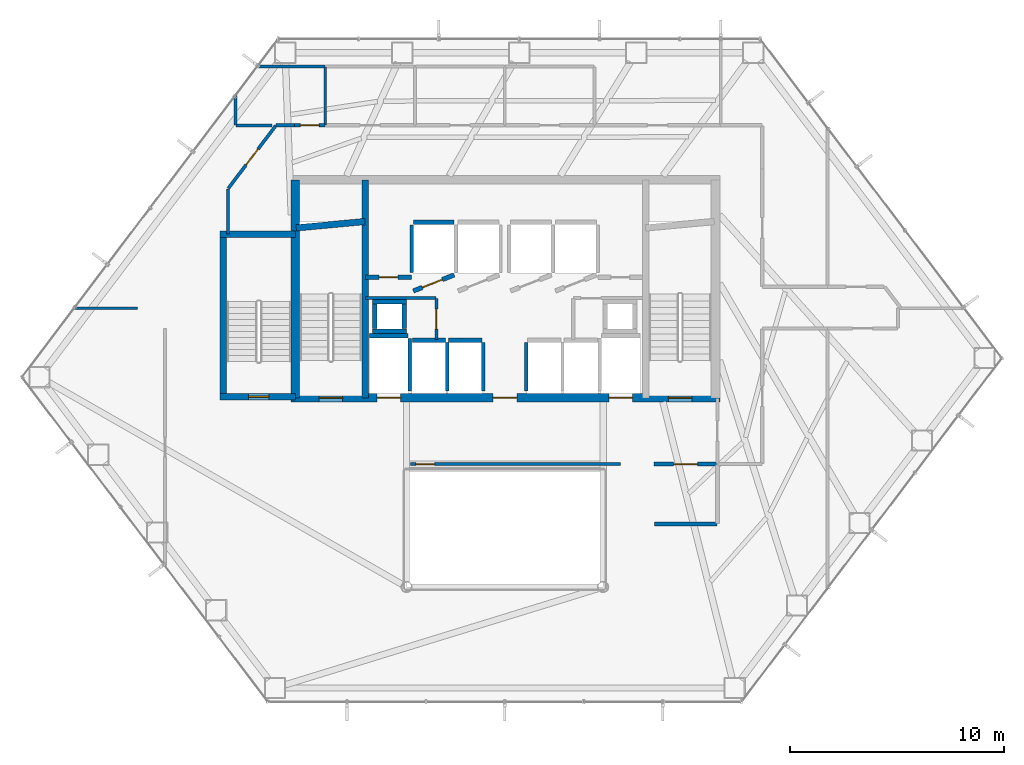
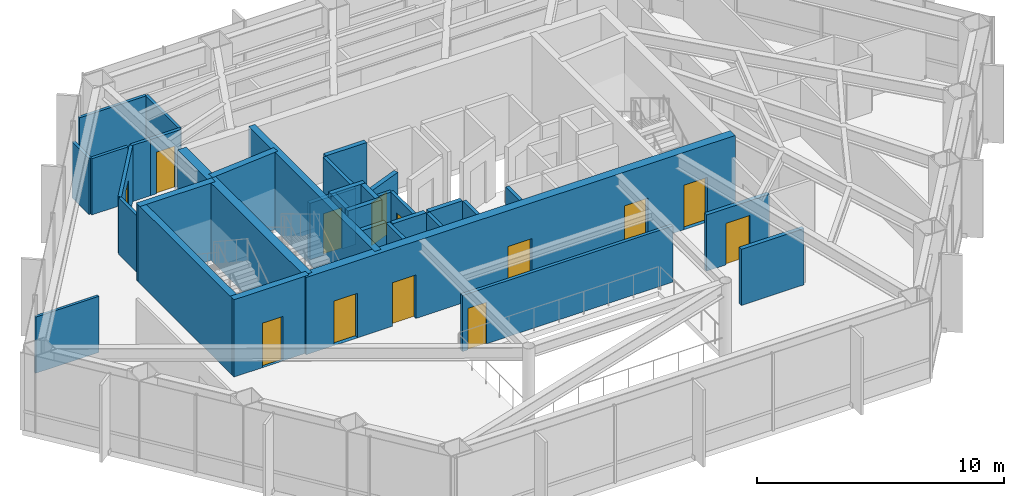
# One storey, part 22 of 25: 36 walls, 13 doors, 13 openings.
"""IFC4 building model written with IfcOpenShell, lengths in metres."""

from ifc_helpers import new_model, si_unit, direction, frame, frame_2d, origin, place, context, subcontext, project, spatial, rectangle, extrude, material, layer, layer_set, type_object, element, fill, save


model = new_model("IFC4")

# Units and contexts
model_context = context("Model", 3, precision=1e-05, world=origin(), true_north=direction((0.0, 1.0)))
body_context = subcontext(model_context, "Body", "Model", "MODEL_VIEW")
ifc_project = project(units=[si_unit("LENGTHUNIT", "METRE"), si_unit("AREAUNIT", "SQUARE_METRE"), si_unit("VOLUMEUNIT", "CUBIC_METRE"), si_unit("PLANEANGLEUNIT", "RADIAN"), si_unit("MASSUNIT", "GRAM", prefix="KILO")], contexts=[model_context])

# Site, building, storey
site_placement = place(None, origin())
site = spatial("IfcSite", under=ifc_project, at=site_placement, CompositionType="ELEMENT")
building_placement = place(site_placement, origin())
building = spatial("IfcBuilding", under=site, at=building_placement, Name="Zarrinselat Tower", CompositionType="ELEMENT")
storey_placement = place(building_placement, frame((0.0, 0.0, 43.860107421875)))
storey = spatial("IfcBuildingStorey", under=building, at=storey_placement, Name="L10", CompositionType="ELEMENT", Elevation=43.860107421875)

# Wall, opening, door
ifc_material_1 = material(Name="Concrete C40/50", Category="concrete")
ifc_layer_1 = layer(ifc_material_1, 0.18994140625)
ifc_layer_set_1 = layer_set([ifc_layer_1], Name="Concrete C40/50")
wall_type_1 = type_object("IfcWallType", Name="WAL-PART-EI120", PredefinedType="PARTITIONING", material=ifc_layer_set_1)
wall_1_placement = place(storey_placement, frame((45.385009765625, 30.14990234375, 0.0), z_axis=(0.0, 0.0, 1.0), x_axis=(1.0, 0.0, 0.0)))
wall_1 = element("IfcWall", 1, at=wall_1_placement, inside=storey, type_object=wall_type_1, Name="L10 Partition Wall 7", PredefinedType="PARTITIONING", context=body_context, shape_type="SweptSolid", body=[
    extrude(rectangle(XDim=2.945068359375, YDim=0.18994140625, at=frame_2d((1.47265625, 0.0))), origin(), (0.0, 0.0, 1.0), 2.77685546875),
])
opening_1_placement = place(wall_1_placement, frame((0.91259765625, 0.0, 0.0)))
opening_1 = element("IfcOpeningElement", 2, at=opening_1_placement, cuts=wall_1, Name="Opening ID-02", PredefinedType="OPENING", context=body_context, shape_type="SweptSolid", body=[
    extrude(rectangle(XDim=1.1201171875, YDim=2.050048828125, at=frame_2d((0.56005859375, 1.02490234375))), frame((0.0, 0.10498046875, 0.0), z_axis=(0.0, -1.0, 0.0), x_axis=(1.0, 0.0, 0.0)), (0.0, 0.0, 1.0), 0.2099609375),
])
ifc_material_2 = material(Name="Steel S355J2", Category="steel")
door_type_1 = type_object("IfcDoorType", Name="DR-INT-FD60-W", OperationType="NOTDEFINED", PredefinedType="DOOR", material=ifc_material_2)
door_1_placement = place(opening_1_placement, origin())
door_1 = element("IfcDoor", 3, at=door_1_placement, inside=storey, type_object=door_type_1, Name="L10 Interior Door P7", OperationType="SINGLE_SWING_LEFT", OverallHeight=2.050048828125, OverallWidth=1.1201171875, PredefinedType="DOOR", context=body_context, shape_type="SweptSolid", body=[
    extrude(rectangle(XDim=1.1201171875, YDim=2.050048828125, at=frame_2d((0.56005859375, 1.02490234375))), frame((0.0, 0.02490234375, 0.0), z_axis=(0.0, -1.0, 0.0), x_axis=(1.0, 0.0, 0.0)), (0.0, 0.0, 1.0), 0.050048828125),
])
fill(opening_1, door_1)

# Wall
wall_2_placement = place(storey_placement, frame((45.39990234375, 27.35009765625, 0.0), z_axis=(0.0, 0.0, 1.0), x_axis=(1.0, 0.0, 0.0)))
element("IfcWall", 4, at=wall_2_placement, inside=storey, type_object=wall_type_1, Name="L10 Partition Wall 10", PredefinedType="PARTITIONING", context=body_context, shape_type="SweptSolid", body=[
    extrude(rectangle(XDim=2.93017578125, YDim=0.18994140625, at=frame_2d((1.465087890625, 0.0))), origin(), (0.0, 0.0, 1.0), 2.77685546875),
])

# Wall, opening, door
ifc_material_3 = material(Name="Fire-Rated Gypsum Board Partition", Category="gypsum")
ifc_layer_2 = layer(ifc_material_3, 0.14990234375)
ifc_layer_set_2 = layer_set([ifc_layer_2], Name="Fire-Rated Gypsum Board Partition")
wall_type_2 = type_object("IfcWallType", Name="WAL-PART-EI60", PredefinedType="PARTITIONING", material=ifc_layer_set_2)
wall_3_placement = place(storey_placement, frame((35.199951171875, 35.969970703125, 0.0), z_axis=(0.0, 0.0, 1.0), x_axis=(0.0, 1.0, 0.0)))
wall_3 = element("IfcWall", 5, at=wall_3_placement, inside=storey, type_object=wall_type_2, Name="L10 Partition Wall 1", PredefinedType="PARTITIONING", context=body_context, shape_type="SweptSolid", body=[
    extrude(rectangle(XDim=1.929931640625, YDim=0.14990234375, at=frame_2d((0.96484375, 0.0))), origin(), (0.0, 0.0, 1.0), 2.77685546875),
])
opening_2_placement = place(wall_3_placement, frame((0.4951171875, 0.0, 0.0)))
opening_2 = element("IfcOpeningElement", 6, at=opening_2_placement, cuts=wall_3, Name="Opening ID-04", PredefinedType="OPENING", context=body_context, shape_type="SweptSolid", body=[
    extrude(rectangle(XDim=0.93994140625, YDim=2.050048828125, at=frame_2d((0.469970703125, 1.02490234375))), frame((0.0, 0.0849609375, 0.0), z_axis=(0.0, -1.0, 0.0), x_axis=(1.0, 0.0, 0.0)), (0.0, 0.0, 1.0), 0.169921875),
])
ifc_material_4 = material(Name="Fire-Rated Gypsum Board Partition")
door_type_2 = type_object("IfcDoorType", Name="DR-INT-FD30-ENT", OperationType="NOTDEFINED", PredefinedType="DOOR", material=ifc_material_4)
door_2_placement = place(opening_2_placement, origin())
door_2 = element("IfcDoor", 7, at=door_2_placement, inside=storey, type_object=door_type_2, Name="L10 Interior Door P1", OperationType="SINGLE_SWING_LEFT", OverallHeight=2.050048828125, OverallWidth=0.93994140625, PredefinedType="DOOR", context=body_context, shape_type="SweptSolid", body=[
    extrude(rectangle(XDim=0.93994140625, YDim=2.050048828125, at=frame_2d((0.469970703125, 1.02490234375))), frame((0.0, 0.02490234375, 0.0), z_axis=(0.0, -1.0, 0.0), x_axis=(1.0, 0.0, 0.0)), (0.0, 0.0, 1.0), 0.050048828125),
])
fill(opening_2, door_2)

# Wall
wall_4_placement = place(storey_placement, frame((31.885009765625, 37.919921875, 0.0), z_axis=(0.0, 0.0, 1.0), x_axis=(1.0, 0.0, 0.0)))
element("IfcWall", 8, at=wall_4_placement, inside=storey, type_object=wall_type_2, Name="L10 Partition Wall 2", PredefinedType="PARTITIONING", context=body_context, shape_type="SweptSolid", body=[
    extrude(rectangle(XDim=3.294921875, YDim=0.14990234375, at=frame_2d((1.6474609375, 0.0))), origin(), (0.0, 0.0, 1.0), 2.77685546875),
])

# Wall, opening, door
wall_5_placement = place(storey_placement, frame((33.985107421875, 30.14990234375, 0.0), z_axis=(0.0, 0.0, 1.0), x_axis=(1.0, 0.0, 0.0)))
wall_5 = element("IfcWall", 9, at=wall_5_placement, inside=storey, type_object=wall_type_2, Name="L10 Partition Wall 9", PredefinedType="PARTITIONING", context=body_context, shape_type="SweptSolid", body=[
    extrude(rectangle(XDim=9.829833984375, YDim=0.14990234375, at=frame_2d((4.9150390625, 0.0))), origin(), (0.0, 0.0, 1.0), 2.77685546875),
])
opening_3_placement = place(wall_5_placement, frame((0.25, 0.0, 0.0)))
opening_3 = element("IfcOpeningElement", 10, at=opening_3_placement, cuts=wall_5, Name="Opening ID-03", PredefinedType="OPENING", context=body_context, shape_type="SweptSolid", body=[
    extrude(rectangle(XDim=0.8798828125, YDim=2.050048828125, at=frame_2d((0.43994140625, 1.02490234375))), frame((0.0, 0.0849609375, 0.0), z_axis=(0.0, -1.0, 0.0), x_axis=(1.0, 0.0, 0.0)), (0.0, 0.0, 1.0), 0.169921875),
])
ifc_material_5 = material(Name="Steel S355J2", Category="steel")
door_type_3 = type_object("IfcDoorType", Name="DR-INT-FD60-S", OperationType="NOTDEFINED", PredefinedType="DOOR", material=ifc_material_5)
door_3_placement = place(opening_3_placement, origin())
door_3 = element("IfcDoor", 11, at=door_3_placement, inside=storey, type_object=door_type_3, Name="L10 Interior Door P9", OperationType="SINGLE_SWING_LEFT", OverallHeight=2.050048828125, OverallWidth=0.8798828125, PredefinedType="DOOR", context=body_context, shape_type="SweptSolid", body=[
    extrude(rectangle(XDim=0.8798828125, YDim=2.050048828125, at=frame_2d((0.43994140625, 1.02490234375))), frame((0.0, 0.02490234375, 0.0), z_axis=(0.0, -1.0, 0.0), x_axis=(1.0, 0.0, 0.0)), (0.0, 0.0, 1.0), 0.050048828125),
])
fill(opening_3, door_3)

# Wall
wall_6_placement = place(storey_placement, frame((27.69580078125, 46.0, 0.0), z_axis=(0.0, 0.0, 1.0), x_axis=(1.0, 0.0, 0.0)))
element("IfcWall", 12, at=wall_6_placement, inside=storey, type_object=wall_type_2, Name="L10 Partition Wall 12", PredefinedType="PARTITIONING", context=body_context, shape_type="SweptSolid", body=[
    extrude(rectangle(XDim=0.854248046875, YDim=0.14990234375, at=frame_2d((0.42724609375, 0.0))), origin(), (0.0, 0.0, 1.0), 2.77685546875),
])

# Wall, opening, door
wall_7_placement = place(storey_placement, frame((28.550048828125, 46.0, 0.0), z_axis=(0.0, 0.0, 1.0), x_axis=(1.0, 0.0, 0.0)))
wall_7 = element("IfcWall", 13, at=wall_7_placement, inside=storey, type_object=wall_type_2, Name="L10 Partition Wall 13", PredefinedType="PARTITIONING", context=body_context, shape_type="SweptSolid", body=[
    extrude(rectangle(XDim=1.445068359375, YDim=0.14990234375, at=frame_2d((0.72265625, 0.0))), origin(), (0.0, 0.0, 1.0), 2.77685546875),
])
opening_4_placement = place(wall_7_placement, frame((0.282470703125, 0.0, 0.0)))
opening_4 = element("IfcOpeningElement", 14, at=opening_4_placement, cuts=wall_7, Name="Opening ID-03", PredefinedType="OPENING", context=body_context, shape_type="SweptSolid", body=[
    extrude(rectangle(XDim=0.8798828125, YDim=2.050048828125, at=frame_2d((0.43994140625, 1.02490234375))), frame((0.0, 0.0849609375, 0.0), z_axis=(0.0, -1.0, 0.0), x_axis=(1.0, 0.0, 0.0)), (0.0, 0.0, 1.0), 0.169921875),
])
door_4_placement = place(opening_4_placement, origin())
door_4 = element("IfcDoor", 15, at=door_4_placement, inside=storey, type_object=door_type_3, Name="L10 Interior Door P13", OperationType="SINGLE_SWING_RIGHT", OverallHeight=2.050048828125, OverallWidth=0.8798828125, PredefinedType="DOOR", context=body_context, shape_type="SweptSolid", body=[
    extrude(rectangle(XDim=0.8798828125, YDim=2.050048828125, at=frame_2d((0.43994140625, 1.02490234375))), frame((0.0, 0.02490234375, 0.0), z_axis=(0.0, -1.0, 0.0), x_axis=(1.0, 0.0, 0.0)), (0.0, 0.0, 1.0), 0.050048828125),
])
fill(opening_4, door_4)

# Wall
wall_8_placement = place(storey_placement, frame((25.449951171875, 40.9150390625, 0.0), z_axis=(0.0, 0.0, 1.0), x_axis=(0.0, 1.0, 0.0)))
element("IfcWall", 16, at=wall_8_placement, inside=storey, type_object=wall_type_2, Name="L10 Partition Wall 24", PredefinedType="PARTITIONING", context=body_context, shape_type="SweptSolid", body=[
    extrude(rectangle(XDim=2.100341796875, YDim=0.14990234375, at=frame_2d((1.05029296875, 0.0))), origin(), (0.0, 0.0, 1.0), 2.77685546875),
])

# Wall, opening, door
wall_9_placement = place(storey_placement, frame((25.462158203125, 43.05126953125, 0.0), z_axis=(0.0, 0.0, 1.0), x_axis=(0.603862791153, 0.7970882821, 0.0)))
wall_9 = element("IfcWall", 17, at=wall_9_placement, inside=storey, type_object=wall_type_2, Name="L10 Partition Wall 25", PredefinedType="PARTITIONING", context=body_context, shape_type="SweptSolid", body=[
    extrude(rectangle(XDim=3.684326171875, YDim=0.14990234375, at=frame_2d((1.84228515625, 0.0))), origin(), (0.0, 0.0, 1.0), 2.77685546875),
])
opening_5_placement = place(wall_9_placement, frame((1.3720703125, 0.0, 0.0)))
opening_5 = element("IfcOpeningElement", 18, at=opening_5_placement, cuts=wall_9, Name="Opening ID-04", PredefinedType="OPENING", context=body_context, shape_type="SweptSolid", body=[
    extrude(rectangle(XDim=0.93994140625, YDim=2.050048828125, at=frame_2d((0.469970703125, 1.02490234375))), frame((0.0, 0.0849609375, 0.0), z_axis=(0.0, -1.0, 0.0), x_axis=(1.0, 0.0, 0.0)), (0.0, 0.0, 1.0), 0.169921875),
])
door_5_placement = place(opening_5_placement, origin())
door_5 = element("IfcDoor", 19, at=door_5_placement, inside=storey, type_object=door_type_2, Name="L10 Interior Door P25", OperationType="SINGLE_SWING_LEFT", OverallHeight=2.050048828125, OverallWidth=0.93994140625, PredefinedType="DOOR", context=body_context, shape_type="SweptSolid", body=[
    extrude(rectangle(XDim=0.93994140625, YDim=2.050048828125, at=frame_2d((0.469970703125, 1.02490234375))), frame((0.0, 0.02490234375, 0.0), z_axis=(0.0, -1.0, 0.0), x_axis=(1.0, 0.0, 0.0)), (0.0, 0.0, 1.0), 0.050048828125),
])
fill(opening_5, door_5)

ifc_material_6 = material(Name="Concrete C40/50", Category="concrete")
ifc_layer_3 = layer(ifc_material_6, 0.199951171875)
ifc_layer_set_3 = layer_set([ifc_layer_3], Name="Concrete C40/50")
wall_type_3 = type_object("IfcWallType", Name="WAL-PART-PLANT", PredefinedType="PARTITIONING", material=ifc_layer_set_3)
wall_10_placement = place(storey_placement, frame((31.885009765625, 38.889892578125, 0.0), z_axis=(0.0, 0.0, 1.0), x_axis=(1.0, 0.0, 0.0)))
wall_10 = element("IfcWall", 20, at=wall_10_placement, inside=storey, type_object=wall_type_3, Name="L10 Partition Wall 3", PredefinedType="PARTITIONING", context=body_context, shape_type="SweptSolid", body=[
    extrude(rectangle(XDim=2.14990234375, YDim=0.199951171875, at=frame_2d((1.074951171875, 0.0))), origin(), (0.0, 0.0, 1.0), 2.77685546875),
])
opening_6_placement = place(wall_10_placement, frame((0.635009765625, 0.0, 0.0)))
opening_6 = element("IfcOpeningElement", 21, at=opening_6_placement, cuts=wall_10, Name="Opening ID-03", PredefinedType="OPENING", context=body_context, shape_type="SweptSolid", body=[
    extrude(rectangle(XDim=0.8798828125, YDim=2.050048828125, at=frame_2d((0.43994140625, 1.02490234375))), frame((0.0, 0.10986328125, 0.0), z_axis=(0.0, -1.0, 0.0), x_axis=(1.0, 0.0, 0.0)), (0.0, 0.0, 1.0), 0.219970703125),
])
door_6_placement = place(opening_6_placement, origin())
door_6 = element("IfcDoor", 22, at=door_6_placement, inside=storey, type_object=door_type_3, Name="L10 Interior Door P3", OperationType="SINGLE_SWING_RIGHT", OverallHeight=2.050048828125, OverallWidth=0.8798828125, PredefinedType="DOOR", context=body_context, shape_type="SweptSolid", body=[
    extrude(rectangle(XDim=0.8798828125, YDim=2.050048828125, at=frame_2d((0.43994140625, 1.02490234375))), frame((0.0, 0.02490234375, 0.0), z_axis=(0.0, -1.0, 0.0), x_axis=(1.0, 0.0, 0.0)), (0.0, 0.0, 1.0), 0.050048828125),
])
fill(opening_6, door_6)

# Walls
ifc_material_7 = material(Name="Fire-Rated Gypsum Board Partition", Category="gypsum")
ifc_layer_4 = layer(ifc_material_7, 0.1201171875)
ifc_layer_set_4 = layer_set([ifc_layer_4], Name="Fire-Rated Gypsum Board Partition")
wall_type_4 = type_object("IfcWallType", Name="WAL-PART-STD", PredefinedType="PARTITIONING", material=ifc_layer_set_4)
wall_11_placement = place(storey_placement, frame((18.27294921875, 37.449951171875, 0.0), z_axis=(0.0, 0.0, 1.0), x_axis=(1.0, 0.0, 0.0)))
element("IfcWall", 23, at=wall_11_placement, inside=storey, type_object=wall_type_4, Name="L10 Partition Wall 44", PredefinedType="PARTITIONING", context=body_context, shape_type="SweptSolid", body=[
    extrude(rectangle(XDim=2.94580078125, YDim=0.1201171875, at=frame_2d((1.472900390625, 0.0))), origin(), (0.0, 0.0, 1.0), 2.77685546875),
])
ifc_material_8 = material(Name="Fire-Rated Gypsum Board Partition", Category="gypsum")
ifc_layer_5 = layer(ifc_material_8, 0.135009765625)
ifc_layer_set_5 = layer_set([ifc_layer_5], Name="Fire-Rated Gypsum Board Partition")
wall_type_5 = type_object("IfcWallType", Name="WAL-PART-WET", PredefinedType="PARTITIONING", material=ifc_layer_set_5)
wall_12_placement = place(storey_placement, frame((30.0, 46.02001953125, 0.0), z_axis=(0.0, 0.0, 1.0), x_axis=(0.0, 1.0, 0.0)))
element("IfcWall", 24, at=wall_12_placement, inside=storey, type_object=wall_type_5, Name="L10 Partition Wall 31", PredefinedType="PARTITIONING", context=body_context, shape_type="SweptSolid", body=[
    extrude(rectangle(XDim=2.7099609375, YDim=0.135009765625, at=frame_2d((1.35498046875, 0.0))), origin(), (0.0, 0.0, 1.0), 2.77685546875),
])
wall_13_placement = place(storey_placement, frame((25.820068359375, 46.0, 0.0), z_axis=(0.0, 0.0, 1.0), x_axis=(1.0, 0.0, 0.0)))
element("IfcWall", 25, at=wall_13_placement, inside=storey, type_object=wall_type_5, Name="L10 Partition Wall 32", PredefinedType="PARTITIONING", context=body_context, shape_type="SweptSolid", body=[
    extrude(rectangle(XDim=1.69482421875, YDim=0.135009765625, at=frame_2d((0.847412109375, 0.0))), origin(), (0.0, 0.0, 1.0), 2.77685546875),
])
wall_14_placement = place(storey_placement, frame((25.800048828125, 46.02001953125, 0.0), z_axis=(0.0, 0.0, 1.0), x_axis=(0.0, 1.0, 0.0)))
element("IfcWall", 26, at=wall_14_placement, inside=storey, type_object=wall_type_5, Name="L10 Partition Wall 33", PredefinedType="PARTITIONING", context=body_context, shape_type="SweptSolid", body=[
    extrude(rectangle(XDim=1.37060546875, YDim=0.135009765625, at=frame_2d((0.685302734375, 0.0))), origin(), (0.0, 0.0, 1.0), 2.77685546875),
])
wall_15_placement = place(storey_placement, frame((26.83349609375, 48.75, 0.0), z_axis=(0.0, 0.0, 1.0), x_axis=(1.0, 0.0, 0.0)))
element("IfcWall", 27, at=wall_15_placement, inside=storey, type_object=wall_type_5, Name="L10 Partition Wall 34", PredefinedType="PARTITIONING", context=body_context, shape_type="SweptSolid", body=[
    extrude(rectangle(XDim=3.146484375, YDim=0.135009765625, at=frame_2d((1.5732421875, 0.0))), origin(), (0.0, 0.0, 1.0), 2.77685546875),
])
ifc_material_9 = material(Name="Concrete C40/50", Category="concrete")
ifc_layer_6 = layer(ifc_material_9, 0.2099609375)
ifc_layer_set_6 = layer_set([ifc_layer_6], Name="Concrete C40/50")
wall_type_6 = type_object("IfcWallType", Name="WAL-SHAFT-210", PredefinedType="SOLIDWALL", material=ifc_layer_set_6)
wall_16_placement = place(storey_placement, frame((32.080078125, 36.155029296875, 0.0), z_axis=(0.0, 0.0, 1.0), x_axis=(1.0, 0.0, 0.0)))
element("IfcWall", 28, at=wall_16_placement, inside=storey, type_object=wall_type_6, Name="L10 Lift FFL1 North Shaft Wall", PredefinedType="SOLIDWALL", context=body_context, shape_type="SweptSolid", body=[
    extrude(rectangle(XDim=1.7998046875, YDim=0.2099609375, at=frame_2d((0.89990234375, 0.0))), origin(), (0.0, 0.0, 1.0), 2.7919921875),
])
wall_17_placement = place(storey_placement, frame((33.949951171875, 33.580078125, 0.0), z_axis=(0.0, 0.0, 1.0), x_axis=(0.0, 1.0, 0.0)))
element("IfcWall", 29, at=wall_17_placement, inside=storey, type_object=wall_type_6, Name="L10 Lift FFL1 E Shaft Wall", PredefinedType="SOLIDWALL", context=body_context, shape_type="SweptSolid", body=[
    extrude(rectangle(XDim=2.449951171875, YDim=0.159912109375, at=frame_2d((1.22509765625, 0.0))), origin(), (0.0, 0.0, 1.0), 2.7919921875),
])

# Wall, opening, door
wall_18_placement = place(storey_placement, frame((34.1201171875, 38.25, 0.0), z_axis=(0.0, 0.0, 1.0), x_axis=(0.930804993012, 0.36551616241, 0.0)))
wall_18 = element("IfcWall", 30, at=wall_18_placement, inside=storey, type_object=wall_type_6, Name="L10 Lift PL1 Front Shaft Wall", PredefinedType="SOLIDWALL", context=body_context, shape_type="SweptSolid", body=[
    extrude(rectangle(XDim=2.052001953125, YDim=0.2099609375, at=frame_2d((1.02587890625, 0.0))), origin(), (0.0, 0.0, 1.0), 2.7919921875),
])
opening_7_placement = place(wall_18_placement, frame((0.455078125, 0.0, 0.0)))
opening_7 = element("IfcOpeningElement", 31, at=opening_7_placement, cuts=wall_18, Name="Opening LD-PL1", PredefinedType="OPENING", context=body_context, shape_type="SweptSolid", body=[
    extrude(rectangle(XDim=1.0, YDim=2.10009765625, at=frame_2d((0.5, 1.050048828125))), frame((0.0, 0.114990234375, 0.0), z_axis=(0.0, -1.0, 0.0), x_axis=(1.0, 0.0, 0.0)), (0.0, 0.0, 1.0), 0.22998046875),
])
ifc_material_10 = material(Name="Steel S355J2", Category="steel")
door_type_4 = type_object("IfcDoorType", Name="DR-LIFT-PS-1000", OperationType="NOTDEFINED", PredefinedType="DOOR", material=ifc_material_10)
door_7_placement = place(opening_7_placement, origin())
door_7 = element("IfcDoor", 32, at=door_7_placement, inside=storey, type_object=door_type_4, Name="L10 Lift PL1 Sliding Landing Door", OperationType="SLIDING_TO_LEFT", OverallHeight=2.10009765625, OverallWidth=1.0, PredefinedType="DOOR", context=body_context, shape_type="SweptSolid", body=[
    extrude(rectangle(XDim=1.0, YDim=2.10009765625, at=frame_2d((0.5, 1.050048828125))), frame((0.0, 0.02490234375, 0.0), z_axis=(0.0, -1.0, 0.0), x_axis=(1.0, 0.0, 0.0)), (0.0, 0.0, 1.0), 0.050048828125),
])
fill(opening_7, door_7)

# Walls
wall_19_placement = place(storey_placement, frame((34.1201171875, 41.455078125, 0.0), z_axis=(0.0, 0.0, 1.0), x_axis=(1.0, 0.0, 0.0)))
element("IfcWall", 33, at=wall_19_placement, inside=storey, type_object=wall_type_6, Name="L10 Lift PL1 Rear Shaft Wall", PredefinedType="SOLIDWALL", context=body_context, shape_type="SweptSolid", body=[
    extrude(rectangle(XDim=1.909912109375, YDim=0.2099609375, at=frame_2d((0.955078125, 0.0))), origin(), (0.0, 0.0, 1.0), 2.7919921875),
])
wall_20_placement = place(storey_placement, frame((34.050048828125, 39.1201171875, 0.0), z_axis=(0.0, 0.0, 1.0), x_axis=(0.0, 1.0, 0.0)))
element("IfcWall", 34, at=wall_20_placement, inside=storey, type_object=wall_type_6, Name="L10 Lift PL1 W Shaft Wall", PredefinedType="SOLIDWALL", context=body_context, shape_type="SweptSolid", body=[
    extrude(rectangle(XDim=2.2099609375, YDim=0.159912109375, at=frame_2d((1.10498046875, 0.0))), origin(), (0.0, 0.0, 1.0), 2.7919921875),
])
wall_21_placement = place(storey_placement, frame((34.070068359375, 35.955078125, 0.0), z_axis=(0.0, 0.0, 1.0), x_axis=(1.0, 0.0, 0.0)))
element("IfcWall", 35, at=wall_21_placement, inside=storey, type_object=wall_type_6, Name="L10 Lift PL5 North Shaft Wall", PredefinedType="SOLIDWALL", context=body_context, shape_type="SweptSolid", body=[
    extrude(rectangle(XDim=1.559814453125, YDim=0.2099609375, at=frame_2d((0.77978515625, 0.0))), origin(), (0.0, 0.0, 1.0), 2.7919921875),
])
wall_22_placement = place(storey_placement, frame((35.699951171875, 33.580078125, 0.0), z_axis=(0.0, 0.0, 1.0), x_axis=(0.0, 1.0, 0.0)))
element("IfcWall", 36, at=wall_22_placement, inside=storey, type_object=wall_type_6, Name="L10 Lift PL5 E Shaft Wall", PredefinedType="SOLIDWALL", context=body_context, shape_type="SweptSolid", body=[
    extrude(rectangle(XDim=2.25, YDim=0.159912109375, at=frame_2d((1.125, 0.0))), origin(), (0.0, 0.0, 1.0), 2.7919921875),
])
wall_23_placement = place(storey_placement, frame((35.77001953125, 35.955078125, 0.0), z_axis=(0.0, 0.0, 1.0), x_axis=(1.0, 0.0, 0.0)))
element("IfcWall", 37, at=wall_23_placement, inside=storey, type_object=wall_type_6, Name="L10 Lift PL6 North Shaft Wall", PredefinedType="SOLIDWALL", context=body_context, shape_type="SweptSolid", body=[
    extrude(rectangle(XDim=1.56005859375, YDim=0.2099609375, at=frame_2d((0.780029296875, 0.0))), origin(), (0.0, 0.0, 1.0), 2.7919921875),
])
for number, where, z_axis, x_axis, name in (
    (38, (37.39990234375, 33.580078125, 0.0), (0.0, 0.0, 1.0), (0.0, 1.0, 0.0), "L10 Lift PL6 E Shaft Wall"),
    (39, (39.39990234375, 33.580078125, 0.0), (0.0, 0.0, 1.0), (0.0, 1.0, 0.0), "L10 Lift PL8 W Shaft Wall"),
):
    element("IfcWall", number, at=place(storey_placement, frame(where, z_axis=z_axis, x_axis=x_axis)), inside=storey, type_object=wall_type_6, Name=name, PredefinedType="SOLIDWALL", context=body_context, shape_type="SweptSolid", body=[
        extrude(rectangle(XDim=2.25, YDim=0.159912109375, at=frame_2d((1.125, 0.0))), origin(), (0.0, 0.0, 1.0), 2.7919921875),
    ])
for number, where, z_axis, x_axis, name in (
    (40, (32.2099609375, 36.375, 0.0), (0.0, 0.0, 1.0), (1.0, 0.0, 0.0), "L10 Core Riser RSR-W S Shaft Wall"),
    (41, (32.2099609375, 37.7451171875, 0.0), (0.0, 0.0, 1.0), (1.0, 0.0, 0.0), "L10 Core Riser RSR-W N Shaft Wall"),
):
    element("IfcWall", number, at=place(storey_placement, frame(where, z_axis=z_axis, x_axis=x_axis)), inside=storey, type_object=wall_type_6, Name=name, PredefinedType="SOLIDWALL", context=body_context, shape_type="SweptSolid", body=[
        extrude(rectangle(XDim=1.60009765625, YDim=0.2099609375, at=frame_2d((0.800048828125, 0.0))), origin(), (0.0, 0.0, 1.0), 3.81982421875),
    ])
for number, where, z_axis, x_axis, name in (
    (42, (32.31494140625, 36.485107421875, 0.0), (0.0, 0.0, 1.0), (0.0, 1.0, 0.0), "L10 Core Riser RSR-W W Shaft Wall"),
    (43, (33.705078125, 36.485107421875, 0.0), (0.0, 0.0, 1.0), (0.0, 1.0, 0.0), "L10 Core Riser RSR-W E Shaft Wall"),
):
    element("IfcWall", number, at=place(storey_placement, frame(where, z_axis=z_axis, x_axis=x_axis)), inside=storey, type_object=wall_type_6, Name=name, PredefinedType="SOLIDWALL", context=body_context, shape_type="SweptSolid", body=[
        extrude(rectangle(XDim=1.14990234375, YDim=0.2099609375, at=frame_2d((0.574951171875, 0.0))), origin(), (0.0, 0.0, 1.0), 3.81982421875),
    ])
ifc_material_11 = material(Name="Concrete C40/50", Category="concrete")
ifc_layer_7 = layer(ifc_material_11, 0.300048828125)
ifc_layer_set_7 = layer_set([ifc_layer_7], Name="Concrete C40/50")
wall_type_7 = type_object("IfcWallType", Name="WAL-SHEAR-300", PredefinedType="SHEAR", material=ifc_layer_set_7)
wall_24_placement = place(storey_placement, frame((31.8701171875, 33.25, 0.0), z_axis=(0.0, 0.0, 1.0), x_axis=(0.0, 1.0, 0.0)))
element("IfcWall", 44, at=wall_24_placement, inside=storey, type_object=wall_type_7, Name="L10 Core Shear Wall ST1E", PredefinedType="SHEAR", context=body_context, shape_type="SweptSolid", body=[
    extrude(rectangle(XDim=10.199951171875, YDim=0.300048828125, at=frame_2d((5.10009765625, 0.0))), origin(), (0.0, 0.0, 1.0), 3.81982421875),
])
wall_25_placement = place(storey_placement, frame((28.639892578125, 41.199951171875, 0.0), z_axis=(0.0, 0.0, 1.0), x_axis=(0.995687118776, 0.092774789157, 0.0)))
element("IfcWall", 45, at=wall_25_placement, inside=storey, type_object=wall_type_7, Name="L10 Stair 1 North Shaft Wall", PredefinedType="SHEAR", context=body_context, shape_type="SweptSolid", body=[
    extrude(rectangle(XDim=3.234130859375, YDim=0.300048828125, at=frame_2d((1.6171875, 0.0))), origin(), (0.0, 0.0, 1.0), 3.81982421875),
])
wall_26_placement = place(storey_placement, frame((25.080078125, 40.89990234375, 0.0), z_axis=(0.0, 0.0, 1.0), x_axis=(1.0, 0.0, 0.0)))
element("IfcWall", 46, at=wall_26_placement, inside=storey, type_object=wall_type_7, Name="L10 Stair 3 North Shear Wall", PredefinedType="SHEAR", context=body_context, shape_type="SweptSolid", body=[
    extrude(rectangle(XDim=3.52001953125, YDim=0.300048828125, at=frame_2d((1.760009765625, 0.0))), origin(), (0.0, 0.0, 1.0), 3.81982421875),
])

# Wall, opening, door
wall_27_placement = place(storey_placement, frame((25.080078125, 33.300048828125, 0.0), z_axis=(0.0, 0.0, 1.0), x_axis=(1.0, 0.0, 0.0)))
wall_27 = element("IfcWall", 47, at=wall_27_placement, inside=storey, type_object=wall_type_7, Name="L10 Stair 3 South Shear Wall", PredefinedType="SHEAR", context=body_context, shape_type="SweptSolid", body=[
    extrude(rectangle(XDim=3.52001953125, YDim=0.300048828125, at=frame_2d((1.760009765625, 0.0))), origin(), (0.0, 0.0, 1.0), 3.81982421875),
])
opening_8_placement = place(wall_27_placement, frame((1.3349609375, 0.0, 0.0)))
opening_8 = element("IfcOpeningElement", 48, at=opening_8_placement, cuts=wall_27, Name="Opening SD-02", PredefinedType="OPENING", context=body_context, shape_type="SweptSolid", body=[
    extrude(rectangle(XDim=0.949951171875, YDim=2.199951171875, at=frame_2d((0.47509765625, 1.10009765625))), frame((0.0, 0.159912109375, 0.0), z_axis=(0.0, -1.0, 0.0), x_axis=(1.0, 0.0, 0.0)), (0.0, 0.0, 1.0), 0.320068359375),
])
ifc_material_12 = material(Name="Steel S355J2", Category="steel")
door_type_5 = type_object("IfcDoorType", Name="DR-STAIR-1050", OperationType="NOTDEFINED", PredefinedType="DOOR", material=ifc_material_12)
door_8_placement = place(opening_8_placement, origin())
door_8 = element("IfcDoor", 49, at=door_8_placement, inside=storey, type_object=door_type_5, Name="L10 Exit Stair 3 Fire Door", OperationType="SINGLE_SWING_LEFT", OverallHeight=2.199951171875, OverallWidth=0.949951171875, PredefinedType="DOOR", context=body_context, shape_type="SweptSolid", body=[
    extrude(rectangle(XDim=0.949951171875, YDim=2.199951171875, at=frame_2d((0.47509765625, 1.10009765625))), frame((0.0, 0.02490234375, 0.0), z_axis=(0.0, -1.0, 0.0), x_axis=(1.0, 0.0, 0.0)), (0.0, 0.0, 1.0), 0.050048828125),
])
fill(opening_8, door_8)

# Wall
wall_28_placement = place(storey_placement, frame((25.22998046875, 33.300048828125, 0.0), z_axis=(0.0, 0.0, 1.0), x_axis=(0.0, 1.0, 0.0)))
element("IfcWall", 50, at=wall_28_placement, inside=storey, type_object=wall_type_7, Name="L10 Stair 3 West Shear Wall", PredefinedType="SHEAR", context=body_context, shape_type="SweptSolid", body=[
    extrude(rectangle(XDim=7.599853515625, YDim=0.300048828125, at=frame_2d((3.7998046875, 0.0))), origin(), (0.0, 0.0, 1.0), 3.81982421875),
])

# Wall, openings, doors
ifc_material_13 = material(Name="Concrete C60/75", Category="concrete")
ifc_layer_8 = layer(ifc_material_13, 0.39990234375)
ifc_layer_set_8 = layer_set([ifc_layer_8], Name="Concrete C60/75")
wall_type_8 = type_object("IfcWallType", Name="WAL-SHEAR-400", PredefinedType="SHEAR", material=ifc_layer_set_8)
wall_29_placement = place(storey_placement, frame((28.39990234375, 33.25, 0.0), z_axis=(0.0, 0.0, 1.0), x_axis=(1.0, 0.0, 0.0)))
wall_29 = element("IfcWall", 51, at=wall_29_placement, inside=storey, type_object=wall_type_8, Name="L10 South Core Shear Wall", PredefinedType="SHEAR", context=body_context, shape_type="SweptSolid", body=[
    extrude(rectangle(XDim=20.06005859375, YDim=0.39990234375, at=frame_2d((10.030029296875, 0.0))), origin(), (0.0, 0.0, 1.0), 3.81982421875),
])
opening_9_placement = place(wall_29_placement, frame((4.030029296875, 0.0, 0.0)))
opening_9 = element("IfcOpeningElement", 52, at=opening_9_placement, cuts=wall_29, Name="Opening LD-FFL1", PredefinedType="OPENING", context=body_context, shape_type="SweptSolid", body=[
    extrude(rectangle(XDim=1.10009765625, YDim=2.14990234375, at=frame_2d((0.550048828125, 1.074951171875))), frame((0.0, 0.2099609375, 0.0), z_axis=(0.0, -1.0, 0.0), x_axis=(1.0, 0.0, 0.0)), (0.0, 0.0, 1.0), 0.419921875),
])
opening_10_placement = place(wall_29_placement, frame((14.8701171875, 0.0, 0.0)))
opening_10 = element("IfcOpeningElement", 53, at=opening_10_placement, cuts=wall_29, Name="Opening LD-FFL2", PredefinedType="OPENING", context=body_context, shape_type="SweptSolid", body=[
    extrude(rectangle(XDim=1.10009765625, YDim=2.14990234375, at=frame_2d((0.550048828125, 1.074951171875))), frame((0.0, 0.2099609375, 0.0), z_axis=(0.0, -1.0, 0.0), x_axis=(1.0, 0.0, 0.0)), (0.0, 0.0, 1.0), 0.419921875),
])
opening_11_placement = place(wall_29_placement, frame((1.31005859375, 0.0, 0.0)))
opening_11 = element("IfcOpeningElement", 54, at=opening_11_placement, cuts=wall_29, Name="Opening SD-01", PredefinedType="OPENING", context=body_context, shape_type="SweptSolid", body=[
    extrude(rectangle(XDim=1.10009765625, YDim=2.199951171875, at=frame_2d((0.550048828125, 1.10009765625))), frame((0.0, 0.2099609375, 0.0), z_axis=(0.0, -1.0, 0.0), x_axis=(1.0, 0.0, 0.0)), (0.0, 0.0, 1.0), 0.419921875),
])
opening_12_placement = place(wall_29_placement, frame((9.43994140625, 0.0, 0.0)))
opening_12 = element("IfcOpeningElement", 55, at=opening_12_placement, cuts=wall_29, Name="Opening ID-02", PredefinedType="OPENING", context=body_context, shape_type="SweptSolid", body=[
    extrude(rectangle(XDim=1.1201171875, YDim=2.050048828125, at=frame_2d((0.56005859375, 1.02490234375))), frame((0.0, 0.2099609375, 0.0), z_axis=(0.0, -1.0, 0.0), x_axis=(1.0, 0.0, 0.0)), (0.0, 0.0, 1.0), 0.419921875),
])
opening_13_placement = place(wall_29_placement, frame((17.64990234375, 0.0, 0.0)))
opening_13 = element("IfcOpeningElement", 56, at=opening_13_placement, cuts=wall_29, Name="Opening SD-01", PredefinedType="OPENING", context=body_context, shape_type="SweptSolid", body=[
    extrude(rectangle(XDim=1.10009765625, YDim=2.199951171875, at=frame_2d((0.550048828125, 1.10009765625))), frame((0.0, 0.2099609375, 0.0), z_axis=(0.0, -1.0, 0.0), x_axis=(1.0, 0.0, 0.0)), (0.0, 0.0, 1.0), 0.419921875),
])
door_9_placement = place(opening_12_placement, origin())
door_9 = element("IfcDoor", 57, at=door_9_placement, inside=storey, type_object=door_type_1, Name="L10 Core Service Vestibule Fire Door", OperationType="SINGLE_SWING_RIGHT", OverallHeight=2.050048828125, OverallWidth=1.1201171875, PredefinedType="DOOR", context=body_context, shape_type="SweptSolid", body=[
    extrude(rectangle(XDim=1.1201171875, YDim=2.050048828125, at=frame_2d((0.56005859375, 1.02490234375))), frame((0.0, 0.02490234375, 0.0), z_axis=(0.0, -1.0, 0.0), x_axis=(1.0, 0.0, 0.0)), (0.0, 0.0, 1.0), 0.050048828125),
])
fill(opening_12, door_9)
ifc_material_14 = material(Name="Steel S355J2", Category="steel")
door_type_6 = type_object("IfcDoorType", Name="DR-LIFT-FF-1100", OperationType="NOTDEFINED", PredefinedType="DOOR", material=ifc_material_14)
door_10_placement = place(opening_9_placement, origin())
door_10 = element("IfcDoor", 58, at=door_10_placement, inside=storey, type_object=door_type_6, Name="L10 Lift FFL1 Sliding Landing Door", OperationType="SLIDING_TO_LEFT", OverallHeight=2.14990234375, OverallWidth=1.10009765625, PredefinedType="DOOR", context=body_context, shape_type="SweptSolid", body=[
    extrude(rectangle(XDim=1.10009765625, YDim=2.14990234375, at=frame_2d((0.550048828125, 1.074951171875))), frame((0.0, 0.02490234375, 0.0), z_axis=(0.0, -1.0, 0.0), x_axis=(1.0, 0.0, 0.0)), (0.0, 0.0, 1.0), 0.050048828125),
])
fill(opening_9, door_10)
door_11_placement = place(opening_10_placement, origin())
door_11 = element("IfcDoor", 59, at=door_11_placement, inside=storey, type_object=door_type_6, Name="L10 Lift FFL2 Sliding Landing Door", OperationType="SLIDING_TO_RIGHT", OverallHeight=2.14990234375, OverallWidth=1.10009765625, PredefinedType="DOOR", context=body_context, shape_type="SweptSolid", body=[
    extrude(rectangle(XDim=1.10009765625, YDim=2.14990234375, at=frame_2d((0.550048828125, 1.074951171875))), frame((0.0, 0.02490234375, 0.0), z_axis=(0.0, -1.0, 0.0), x_axis=(1.0, 0.0, 0.0)), (0.0, 0.0, 1.0), 0.050048828125),
])
fill(opening_10, door_11)
ifc_material_15 = material(Name="Steel S355J2", Category="steel")
door_type_7 = type_object("IfcDoorType", Name="DR-STAIR-1100", OperationType="NOTDEFINED", PredefinedType="DOOR", material=ifc_material_15)
door_12_placement = place(opening_11_placement, origin())
door_12 = element("IfcDoor", 60, at=door_12_placement, inside=storey, type_object=door_type_7, Name="L10 Exit Stair 1 Fire Door", OperationType="SINGLE_SWING_LEFT", OverallHeight=2.199951171875, OverallWidth=1.10009765625, PredefinedType="DOOR", context=body_context, shape_type="SweptSolid", body=[
    extrude(rectangle(XDim=1.10009765625, YDim=2.199951171875, at=frame_2d((0.550048828125, 1.10009765625))), frame((0.0, 0.02490234375, 0.0), z_axis=(0.0, -1.0, 0.0), x_axis=(1.0, 0.0, 0.0)), (0.0, 0.0, 1.0), 0.050048828125),
])
fill(opening_11, door_12)
door_13_placement = place(opening_13_placement, origin())
door_13 = element("IfcDoor", 61, at=door_13_placement, inside=storey, type_object=door_type_7, Name="L10 Exit Stair 2 Fire Door", OperationType="SINGLE_SWING_RIGHT", OverallHeight=2.199951171875, OverallWidth=1.10009765625, PredefinedType="DOOR", context=body_context, shape_type="SweptSolid", body=[
    extrude(rectangle(XDim=1.10009765625, YDim=2.199951171875, at=frame_2d((0.550048828125, 1.10009765625))), frame((0.0, 0.02490234375, 0.0), z_axis=(0.0, -1.0, 0.0), x_axis=(1.0, 0.0, 0.0)), (0.0, 0.0, 1.0), 0.050048828125),
])
fill(opening_13, door_13)

# Wall
wall_30_placement = place(storey_placement, frame((28.60009765625, 33.25, 0.0), z_axis=(0.0, 0.0, 1.0), x_axis=(0.0, 1.0, 0.0)))
element("IfcWall", 62, at=wall_30_placement, inside=storey, type_object=wall_type_8, Name="L10 Core Shear Wall W", PredefinedType="SHEAR", context=body_context, shape_type="SweptSolid", body=[
    extrude(rectangle(XDim=10.199951171875, YDim=0.39990234375, at=frame_2d((5.10009765625, 0.0))), origin(), (0.0, 0.0, 1.0), 3.81982421875),
])

save(model, "model.ifc")
